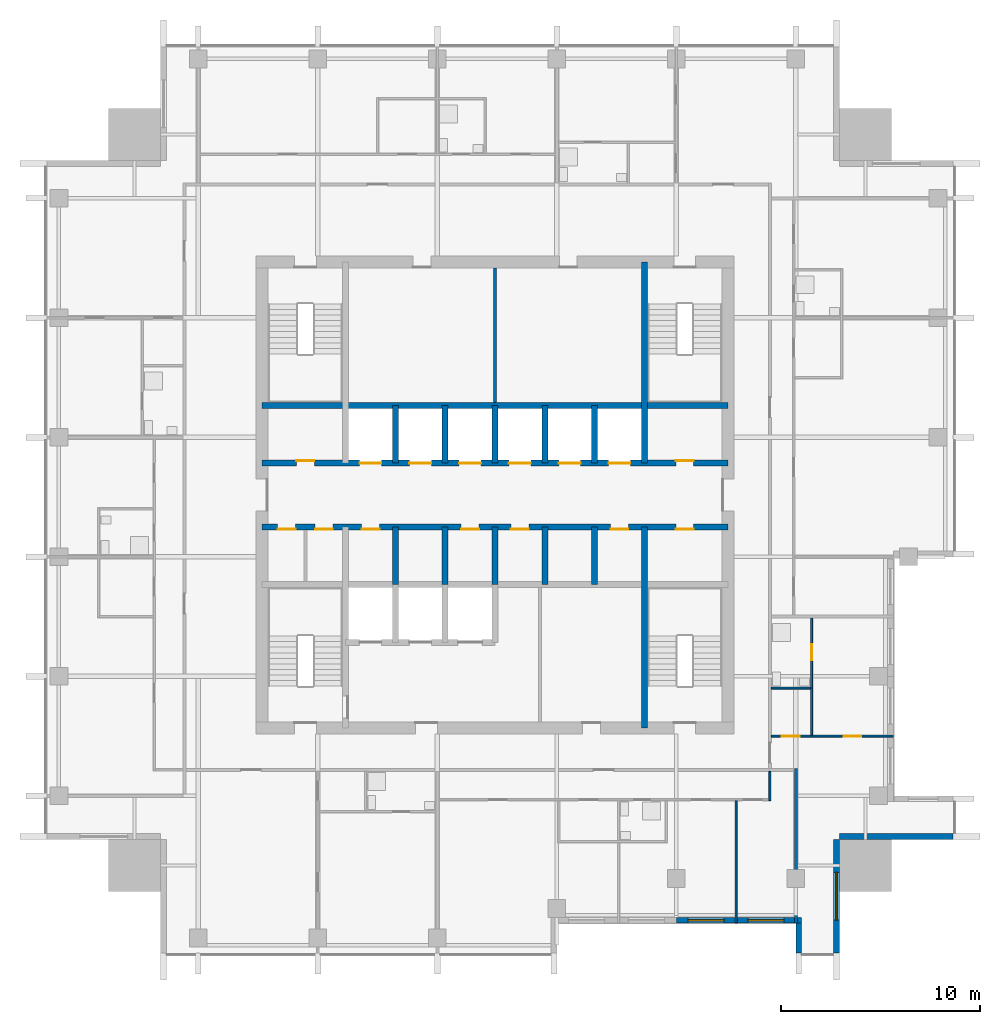
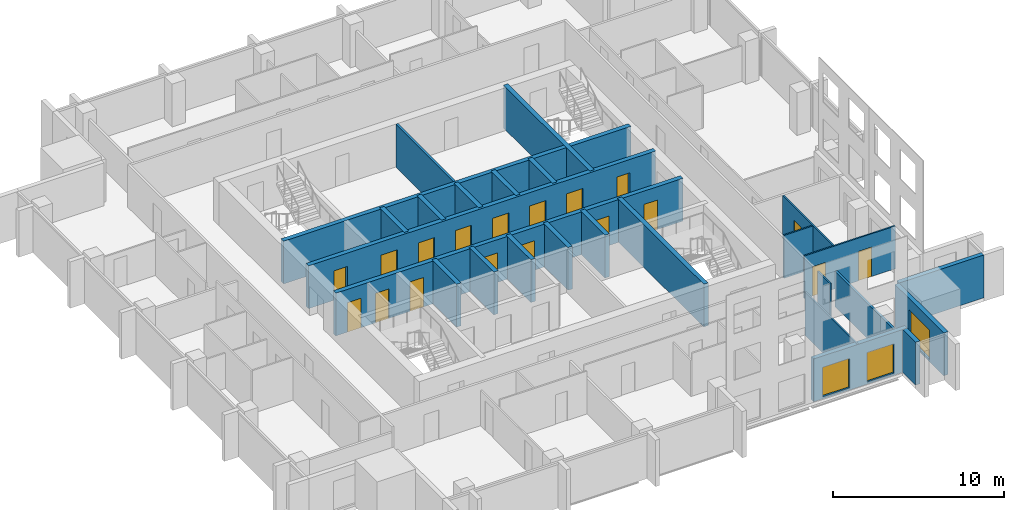
# One storey, part 5 of 10: 26 walls, 18 doors, 3 windows, 21 openings.
"""IFC4 building model written with IfcOpenShell, lengths in metres."""

from ifc_helpers import new_model, si_unit, direction, frame, frame_2d, origin, place, context, subcontext, project, spatial, rectangle, extrude, material, layer, layer_set, type_object, element, fill, save


model = new_model("IFC4")

# Units and contexts
model_context = context("Model", 3, precision=1e-05, world=origin(), true_north=direction((0.0, 1.0)))
body_context = subcontext(model_context, "Body", "Model", "MODEL_VIEW")
ifc_project = project(units=[si_unit("LENGTHUNIT", "METRE"), si_unit("AREAUNIT", "SQUARE_METRE"), si_unit("VOLUMEUNIT", "CUBIC_METRE"), si_unit("PLANEANGLEUNIT", "RADIAN"), si_unit("MASSUNIT", "GRAM", prefix="KILO")], contexts=[model_context])

# Site, building, storey
site_placement = place(None, origin())
site = spatial("IfcSite", under=ifc_project, at=site_placement, CompositionType="ELEMENT")
building_placement = place(site_placement, origin())
building = spatial("IfcBuilding", under=site, at=building_placement, Name="Amberfall Residences", CompositionType="ELEMENT")
storey_placement = place(building_placement, frame((0.0, 0.0, 206.800048828125)))
storey = spatial("IfcBuildingStorey", under=building, at=storey_placement, Name="L55", CompositionType="ELEMENT", Elevation=206.800048828125)

# Wall
ifc_material_1 = material(Name="Pale stone cladding on insulated backing", Category="masonry")
ifc_layer_1 = layer(ifc_material_1, 0.300048828125)
ifc_layer_set_1 = layer_set([ifc_layer_1], Name="Bronze clad wall 300")
wall_type_1 = type_object("IfcWallType", Name="Bronze clad wall 300", PredefinedType="SOLIDWALL", material=ifc_layer_set_1)
wall_1_placement = place(storey_placement, frame((89.75, 24.0, 0.0), z_axis=(0.0, 0.0, 1.0), x_axis=(0.0, -1.0, 0.0)))
element("IfcWall", 1, at=wall_1_placement, inside=storey, type_object=wall_type_1, Name="External wall L55 S", PredefinedType="SOLIDWALL", context=body_context, shape_type="SweptSolid", body=[
    extrude(rectangle(XDim=1.5, YDim=0.300048828125, at=frame_2d((0.75, 0.0))), origin(), (0.0, 0.0, 1.0), 3.050048828125),
])

# Wall, opening, window
wall_2_placement = place(storey_placement, frame((91.64990234375, 22.5, 0.0), z_axis=(0.0, 0.0, 1.0), x_axis=(0.0, 1.0, 0.0)))
wall_2 = element("IfcWall", 2, at=wall_2_placement, inside=storey, type_object=wall_type_1, Name="External wall L55 SE", PredefinedType="SOLIDWALL", context=body_context, shape_type="SweptSolid", body=[
    extrude(rectangle(XDim=5.699951171875, YDim=0.300048828125, at=frame_2d((2.85009765625, 0.0))), origin(), (0.0, 0.0, 1.0), 3.050048828125),
])
opening_1_placement = place(wall_2_placement, frame((1.64990234375, 0.0, 0.14990234375)))
opening_1 = element("IfcOpeningElement", 3, at=opening_1_placement, cuts=wall_2, Name="Opening WN5", PredefinedType="OPENING", context=body_context, shape_type="SweptSolid", body=[
    extrude(rectangle(XDim=2.39990234375, YDim=2.10009765625, at=frame_2d((1.199951171875, 1.050048828125))), frame((0.0, 0.159912109375, 0.0), z_axis=(0.0, -1.0, 0.0), x_axis=(1.0, 0.0, 0.0)), (0.0, 0.0, 1.0), 0.320068359375),
])
ifc_material_2 = material(Name="Bronze aluminium framed glazing", Category="aluminium")
window_type_1 = type_object("IfcWindowType", Name="Glazed opening 2400 x 2100 bronze", PartitioningType="DOUBLE_PANEL_VERTICAL", PredefinedType="WINDOW", material=ifc_material_2)
window_1_placement = place(opening_1_placement, origin())
window_1 = element("IfcWindow", 4, at=window_1_placement, inside=storey, type_object=window_type_1, Name="Window L55 SE", OverallHeight=2.10009765625, OverallWidth=2.39990234375, PartitioningType="DOUBLE_PANEL_VERTICAL", PredefinedType="WINDOW", context=body_context, shape_type="SweptSolid", body=[
    extrude(rectangle(XDim=2.39990234375, YDim=2.10009765625, at=frame_2d((1.199951171875, 1.050048828125))), frame((0.0, 0.030029296875, 0.0), z_axis=(0.0, -1.0, 0.0), x_axis=(1.0, 0.0, 0.0)), (0.0, 0.0, 1.0), 0.06005859375),
])
fill(opening_1, window_1)

# Wall
wall_3_placement = place(storey_placement, frame((91.800048828125, 28.35009765625, 0.0), z_axis=(0.0, 0.0, 1.0), x_axis=(1.0, 0.0, 0.0)))
element("IfcWall", 5, at=wall_3_placement, inside=storey, type_object=wall_type_1, Name="External wall L55 SE", PredefinedType="SOLIDWALL", context=body_context, shape_type="SweptSolid", body=[
    extrude(rectangle(XDim=5.699951171875, YDim=0.300048828125, at=frame_2d((2.85009765625, 0.0))), origin(), (0.0, 0.0, 1.0), 3.050048828125),
])

# Wall, openings, windows
wall_4_placement = place(storey_placement, frame((83.60009765625, 24.14990234375, 0.0), z_axis=(0.0, 0.0, 1.0), x_axis=(1.0, 0.0, 0.0)))
wall_4 = element("IfcWall", 6, at=wall_4_placement, inside=storey, type_object=wall_type_1, Name="Stone wall L55 S", PredefinedType="SOLIDWALL", context=body_context, shape_type="SweptSolid", body=[
    extrude(rectangle(XDim=6.2998046875, YDim=0.300048828125, at=frame_2d((3.14990234375, 0.0))), origin(), (0.0, 0.0, 1.0), 3.050048828125),
])
opening_2_placement = place(wall_4_placement, frame((0.60009765625, 0.0, 0.14990234375)))
opening_2 = element("IfcOpeningElement", 7, at=opening_2_placement, cuts=wall_4, Name="Opening WN6", PredefinedType="OPENING", context=body_context, shape_type="SweptSolid", body=[
    extrude(rectangle(XDim=1.800048828125, YDim=2.10009765625, at=frame_2d((0.89990234375, 1.050048828125))), frame((0.0, 0.159912109375, 0.0), z_axis=(0.0, -1.0, 0.0), x_axis=(1.0, 0.0, 0.0)), (0.0, 0.0, 1.0), 0.320068359375),
])
opening_3_placement = place(wall_4_placement, frame((3.60009765625, 0.0, 0.14990234375)))
opening_3 = element("IfcOpeningElement", 8, at=opening_3_placement, cuts=wall_4, Name="Opening WN6", PredefinedType="OPENING", context=body_context, shape_type="SweptSolid", body=[
    extrude(rectangle(XDim=1.800048828125, YDim=2.10009765625, at=frame_2d((0.89990234375, 1.050048828125))), frame((0.0, 0.159912109375, 0.0), z_axis=(0.0, -1.0, 0.0), x_axis=(1.0, 0.0, 0.0)), (0.0, 0.0, 1.0), 0.320068359375),
])
window_type_2 = type_object("IfcWindowType", Name="Glazed opening 1800 x 2100 bronze", PartitioningType="DOUBLE_PANEL_VERTICAL", PredefinedType="WINDOW", material=ifc_material_2)
window_2_placement = place(opening_2_placement, origin())
window_2 = element("IfcWindow", 9, at=window_2_placement, inside=storey, type_object=window_type_2, Name="Window L55 S", OverallHeight=2.10009765625, OverallWidth=1.800048828125, PartitioningType="DOUBLE_PANEL_VERTICAL", PredefinedType="WINDOW", context=body_context, shape_type="SweptSolid", body=[
    extrude(rectangle(XDim=1.800048828125, YDim=2.10009765625, at=frame_2d((0.89990234375, 1.050048828125))), frame((0.0, 0.030029296875, 0.0), z_axis=(0.0, -1.0, 0.0), x_axis=(1.0, 0.0, 0.0)), (0.0, 0.0, 1.0), 0.06005859375),
])
fill(opening_2, window_2)
window_3_placement = place(opening_3_placement, origin())
window_3 = element("IfcWindow", 10, at=window_3_placement, inside=storey, type_object=window_type_2, Name="Window L55 S", OverallHeight=2.10009765625, OverallWidth=1.800048828125, PartitioningType="DOUBLE_PANEL_VERTICAL", PredefinedType="WINDOW", context=body_context, shape_type="SweptSolid", body=[
    extrude(rectangle(XDim=1.800048828125, YDim=2.10009765625, at=frame_2d((0.89990234375, 1.050048828125))), frame((0.0, 0.030029296875, 0.0), z_axis=(0.0, -1.0, 0.0), x_axis=(1.0, 0.0, 0.0)), (0.0, 0.0, 1.0), 0.06005859375),
])
fill(opening_3, window_3)

# Wall, openings, doors
ifc_material_3 = material(Name="Concrete C55", Category="concrete")
ifc_layer_2 = layer(ifc_material_3, 0.300048828125)
ifc_layer_set_2 = layer_set([ifc_layer_2], Name="Core wall 300 C55")
wall_type_2 = type_object("IfcWallType", Name="Core wall 300 C55", PredefinedType="SHEAR", material=ifc_layer_set_2)
wall_5_placement = place(storey_placement, frame((62.800048828125, 43.89990234375, 0.0), z_axis=(0.0, 0.0, 1.0), x_axis=(1.0, 0.0, 0.0)))
wall_5 = element("IfcWall", 11, at=wall_5_placement, inside=storey, type_object=wall_type_2, Name="Core wall RW8 L55 H104", PredefinedType="SHEAR", context=body_context, shape_type="SweptSolid", body=[
    extrude(rectangle(XDim=23.39990234375, YDim=0.300048828125, at=frame_2d((11.699951171875, 0.0))), origin(), (0.0, 0.0, 1.0), 3.050048828125),
])
opening_4_placement = place(wall_5_placement, frame((0.78759765625, 0.0, 0.0)))
opening_4 = element("IfcOpeningElement", 12, at=opening_4_placement, cuts=wall_5, Name="Opening RD1", PredefinedType="OPENING", context=body_context, shape_type="SweptSolid", body=[
    extrude(rectangle(XDim=0.89990234375, YDim=2.10009765625, at=frame_2d((0.449951171875, 1.050048828125))), frame((0.0, 0.159912109375, 0.0), z_axis=(0.0, -1.0, 0.0), x_axis=(1.0, 0.0, 0.0)), (0.0, 0.0, 1.0), 0.320068359375),
])
opening_5_placement = place(wall_5_placement, frame((2.66259765625, 0.0, 0.0)))
opening_5 = element("IfcOpeningElement", 13, at=opening_5_placement, cuts=wall_5, Name="Opening RD1", PredefinedType="OPENING", context=body_context, shape_type="SweptSolid", body=[
    extrude(rectangle(XDim=0.89990234375, YDim=2.10009765625, at=frame_2d((0.449951171875, 1.050048828125))), frame((0.0, 0.159912109375, 0.0), z_axis=(0.0, -1.0, 0.0), x_axis=(1.0, 0.0, 0.0)), (0.0, 0.0, 1.0), 0.320068359375),
])
opening_6_placement = place(wall_5_placement, frame((20.77490234375, 0.0, 0.0)))
opening_6 = element("IfcOpeningElement", 14, at=opening_6_placement, cuts=wall_5, Name="Opening RD1", PredefinedType="OPENING", context=body_context, shape_type="SweptSolid", body=[
    extrude(rectangle(XDim=0.89990234375, YDim=2.10009765625, at=frame_2d((0.449951171875, 1.050048828125))), frame((0.0, 0.159912109375, 0.0), z_axis=(0.0, -1.0, 0.0), x_axis=(1.0, 0.0, 0.0)), (0.0, 0.0, 1.0), 0.320068359375),
])
opening_7_placement = place(wall_5_placement, frame((5.0, 0.0, 0.0)))
opening_7 = element("IfcOpeningElement", 15, at=opening_7_placement, cuts=wall_5, Name="Opening RD1", PredefinedType="OPENING", context=body_context, shape_type="SweptSolid", body=[
    extrude(rectangle(XDim=0.89990234375, YDim=2.10009765625, at=frame_2d((0.449951171875, 1.050048828125))), frame((0.0, 0.159912109375, 0.0), z_axis=(0.0, -1.0, 0.0), x_axis=(1.0, 0.0, 0.0)), (0.0, 0.0, 1.0), 0.320068359375),
])
opening_8_placement = place(wall_5_placement, frame((10.0, 0.0, 0.0)))
opening_8 = element("IfcOpeningElement", 16, at=opening_8_placement, cuts=wall_5, Name="Opening RD1", PredefinedType="OPENING", context=body_context, shape_type="SweptSolid", body=[
    extrude(rectangle(XDim=0.89990234375, YDim=2.10009765625, at=frame_2d((0.449951171875, 1.050048828125))), frame((0.0, 0.159912109375, 0.0), z_axis=(0.0, -1.0, 0.0), x_axis=(1.0, 0.0, 0.0)), (0.0, 0.0, 1.0), 0.320068359375),
])
opening_9_placement = place(wall_5_placement, frame((12.5, 0.0, 0.0)))
opening_9 = element("IfcOpeningElement", 17, at=opening_9_placement, cuts=wall_5, Name="Opening RD1", PredefinedType="OPENING", context=body_context, shape_type="SweptSolid", body=[
    extrude(rectangle(XDim=0.89990234375, YDim=2.10009765625, at=frame_2d((0.449951171875, 1.050048828125))), frame((0.0, 0.159912109375, 0.0), z_axis=(0.0, -1.0, 0.0), x_axis=(1.0, 0.0, 0.0)), (0.0, 0.0, 1.0), 0.320068359375),
])
opening_10_placement = place(wall_5_placement, frame((17.5, 0.0, 0.0)))
opening_10 = element("IfcOpeningElement", 18, at=opening_10_placement, cuts=wall_5, Name="Opening RD1", PredefinedType="OPENING", context=body_context, shape_type="SweptSolid", body=[
    extrude(rectangle(XDim=0.89990234375, YDim=2.10009765625, at=frame_2d((0.449951171875, 1.050048828125))), frame((0.0, 0.159912109375, 0.0), z_axis=(0.0, -1.0, 0.0), x_axis=(1.0, 0.0, 0.0)), (0.0, 0.0, 1.0), 0.320068359375),
])
ifc_material_4 = material(Name="Steel fire door set", Category="steel")
door_type_1 = type_object("IfcDoorType", Name="Service room door 900 x 2100", OperationType="SINGLE_SWING_LEFT", PredefinedType="DOOR", material=ifc_material_4)
door_1_placement = place(opening_4_placement, origin())
door_1 = element("IfcDoor", 19, at=door_1_placement, inside=storey, type_object=door_type_1, Name="RD1 L55", OperationType="SINGLE_SWING_LEFT", OverallHeight=2.10009765625, OverallWidth=0.89990234375, PredefinedType="DOOR", context=body_context, shape_type="SweptSolid", body=[
    extrude(rectangle(XDim=0.89990234375, YDim=2.10009765625, at=frame_2d((0.449951171875, 1.050048828125))), frame((0.0, -0.08740234375, 0.0), z_axis=(0.0, -1.0, 0.0), x_axis=(1.0, 0.0, 0.0)), (0.0, 0.0, 1.0), 0.050048828125),
])
fill(opening_4, door_1)
door_2_placement = place(opening_5_placement, origin())
door_2 = element("IfcDoor", 20, at=door_2_placement, inside=storey, type_object=door_type_1, Name="RD1 L55", OperationType="SINGLE_SWING_RIGHT", OverallHeight=2.10009765625, OverallWidth=0.89990234375, PredefinedType="DOOR", context=body_context, shape_type="SweptSolid", body=[
    extrude(rectangle(XDim=0.89990234375, YDim=2.10009765625, at=frame_2d((0.449951171875, 1.050048828125))), frame((0.0, -0.08740234375, 0.0), z_axis=(0.0, -1.0, 0.0), x_axis=(1.0, 0.0, 0.0)), (0.0, 0.0, 1.0), 0.050048828125),
])
fill(opening_5, door_2)
door_3_placement = place(opening_6_placement, origin())
door_3 = element("IfcDoor", 21, at=door_3_placement, inside=storey, type_object=door_type_1, Name="RD1 L55", OperationType="SINGLE_SWING_LEFT", OverallHeight=2.10009765625, OverallWidth=0.89990234375, PredefinedType="DOOR", context=body_context, shape_type="SweptSolid", body=[
    extrude(rectangle(XDim=0.89990234375, YDim=2.10009765625, at=frame_2d((0.449951171875, 1.050048828125))), frame((0.0, -0.08740234375, 0.0), z_axis=(0.0, -1.0, 0.0), x_axis=(1.0, 0.0, 0.0)), (0.0, 0.0, 1.0), 0.050048828125),
])
fill(opening_6, door_3)
door_4_placement = place(opening_7_placement, origin())
door_4 = element("IfcDoor", 22, at=door_4_placement, inside=storey, type_object=door_type_1, Name="RD1 L55", OperationType="SINGLE_SWING_RIGHT", OverallHeight=2.10009765625, OverallWidth=0.89990234375, PredefinedType="DOOR", context=body_context, shape_type="SweptSolid", body=[
    extrude(rectangle(XDim=0.89990234375, YDim=2.10009765625, at=frame_2d((0.449951171875, 1.050048828125))), frame((0.0, -0.08740234375, 0.0), z_axis=(0.0, -1.0, 0.0), x_axis=(1.0, 0.0, 0.0)), (0.0, 0.0, 1.0), 0.050048828125),
])
fill(opening_7, door_4)
door_5_placement = place(opening_8_placement, origin())
door_5 = element("IfcDoor", 23, at=door_5_placement, inside=storey, type_object=door_type_1, Name="RD1 L55", OperationType="SINGLE_SWING_RIGHT", OverallHeight=2.10009765625, OverallWidth=0.89990234375, PredefinedType="DOOR", context=body_context, shape_type="SweptSolid", body=[
    extrude(rectangle(XDim=0.89990234375, YDim=2.10009765625, at=frame_2d((0.449951171875, 1.050048828125))), frame((0.0, -0.08740234375, 0.0), z_axis=(0.0, -1.0, 0.0), x_axis=(1.0, 0.0, 0.0)), (0.0, 0.0, 1.0), 0.050048828125),
])
fill(opening_8, door_5)
door_6_placement = place(opening_9_placement, origin())
door_6 = element("IfcDoor", 24, at=door_6_placement, inside=storey, type_object=door_type_1, Name="RD1 L55", OperationType="SINGLE_SWING_LEFT", OverallHeight=2.10009765625, OverallWidth=0.89990234375, PredefinedType="DOOR", context=body_context, shape_type="SweptSolid", body=[
    extrude(rectangle(XDim=0.89990234375, YDim=2.10009765625, at=frame_2d((0.449951171875, 1.050048828125))), frame((0.0, -0.08740234375, 0.0), z_axis=(0.0, -1.0, 0.0), x_axis=(1.0, 0.0, 0.0)), (0.0, 0.0, 1.0), 0.050048828125),
])
fill(opening_9, door_6)
door_7_placement = place(opening_10_placement, origin())
door_7 = element("IfcDoor", 25, at=door_7_placement, inside=storey, type_object=door_type_1, Name="RD1 L55", OperationType="SINGLE_SWING_LEFT", OverallHeight=2.10009765625, OverallWidth=0.89990234375, PredefinedType="DOOR", context=body_context, shape_type="SweptSolid", body=[
    extrude(rectangle(XDim=0.89990234375, YDim=2.10009765625, at=frame_2d((0.449951171875, 1.050048828125))), frame((0.0, -0.08740234375, 0.0), z_axis=(0.0, -1.0, 0.0), x_axis=(1.0, 0.0, 0.0)), (0.0, 0.0, 1.0), 0.050048828125),
])
fill(opening_10, door_7)

wall_6_placement = place(storey_placement, frame((62.800048828125, 47.10009765625, 0.0), z_axis=(0.0, 0.0, 1.0), x_axis=(1.0, 0.0, 0.0)))
wall_6 = element("IfcWall", 26, at=wall_6_placement, inside=storey, type_object=wall_type_2, Name="Core wall RW8 L55 H136", PredefinedType="SHEAR", context=body_context, shape_type="SweptSolid", body=[
    extrude(rectangle(XDim=23.39990234375, YDim=0.300048828125, at=frame_2d((11.699951171875, 0.0))), origin(), (0.0, 0.0, 1.0), 3.050048828125),
])
opening_11_placement = place(wall_6_placement, frame((1.72509765625, 0.0, 0.0)))
opening_11 = element("IfcOpeningElement", 27, at=opening_11_placement, cuts=wall_6, Name="Opening RD1", PredefinedType="OPENING", context=body_context, shape_type="SweptSolid", body=[
    extrude(rectangle(XDim=0.89990234375, YDim=2.10009765625, at=frame_2d((0.449951171875, 1.050048828125))), frame((0.0, 0.159912109375, 0.0), z_axis=(0.0, -1.0, 0.0), x_axis=(1.0, 0.0, 0.0)), (0.0, 0.0, 1.0), 0.320068359375),
])
opening_12_placement = place(wall_6_placement, frame((20.77490234375, 0.0, 0.0)))
opening_12 = element("IfcOpeningElement", 28, at=opening_12_placement, cuts=wall_6, Name="Opening RD1", PredefinedType="OPENING", context=body_context, shape_type="SweptSolid", body=[
    extrude(rectangle(XDim=0.89990234375, YDim=2.10009765625, at=frame_2d((0.449951171875, 1.050048828125))), frame((0.0, 0.159912109375, 0.0), z_axis=(0.0, -1.0, 0.0), x_axis=(1.0, 0.0, 0.0)), (0.0, 0.0, 1.0), 0.320068359375),
])
opening_13_placement = place(wall_6_placement, frame((4.89990234375, 0.0, 0.0)))
opening_13 = element("IfcOpeningElement", 29, at=opening_13_placement, cuts=wall_6, Name="Opening LD1", PredefinedType="OPENING", context=body_context, shape_type="SweptSolid", body=[
    extrude(rectangle(XDim=1.10009765625, YDim=2.10009765625, at=frame_2d((0.550048828125, 1.050048828125))), frame((0.0, 0.159912109375, 0.0), z_axis=(0.0, -1.0, 0.0), x_axis=(1.0, 0.0, 0.0)), (0.0, 0.0, 1.0), 0.320068359375),
])
opening_14_placement = place(wall_6_placement, frame((7.39990234375, 0.0, 0.0)))
opening_14 = element("IfcOpeningElement", 30, at=opening_14_placement, cuts=wall_6, Name="Opening LD1", PredefinedType="OPENING", context=body_context, shape_type="SweptSolid", body=[
    extrude(rectangle(XDim=1.10009765625, YDim=2.10009765625, at=frame_2d((0.550048828125, 1.050048828125))), frame((0.0, 0.159912109375, 0.0), z_axis=(0.0, -1.0, 0.0), x_axis=(1.0, 0.0, 0.0)), (0.0, 0.0, 1.0), 0.320068359375),
])
opening_15_placement = place(wall_6_placement, frame((9.89990234375, 0.0, 0.0)))
opening_15 = element("IfcOpeningElement", 31, at=opening_15_placement, cuts=wall_6, Name="Opening LD1", PredefinedType="OPENING", context=body_context, shape_type="SweptSolid", body=[
    extrude(rectangle(XDim=1.10009765625, YDim=2.10009765625, at=frame_2d((0.550048828125, 1.050048828125))), frame((0.0, 0.159912109375, 0.0), z_axis=(0.0, -1.0, 0.0), x_axis=(1.0, 0.0, 0.0)), (0.0, 0.0, 1.0), 0.320068359375),
])
opening_16_placement = place(wall_6_placement, frame((12.39990234375, 0.0, 0.0)))
opening_16 = element("IfcOpeningElement", 32, at=opening_16_placement, cuts=wall_6, Name="Opening LD1", PredefinedType="OPENING", context=body_context, shape_type="SweptSolid", body=[
    extrude(rectangle(XDim=1.10009765625, YDim=2.10009765625, at=frame_2d((0.550048828125, 1.050048828125))), frame((0.0, 0.159912109375, 0.0), z_axis=(0.0, -1.0, 0.0), x_axis=(1.0, 0.0, 0.0)), (0.0, 0.0, 1.0), 0.320068359375),
])
opening_17_placement = place(wall_6_placement, frame((14.89990234375, 0.0, 0.0)))
opening_17 = element("IfcOpeningElement", 33, at=opening_17_placement, cuts=wall_6, Name="Opening LD1", PredefinedType="OPENING", context=body_context, shape_type="SweptSolid", body=[
    extrude(rectangle(XDim=1.10009765625, YDim=2.10009765625, at=frame_2d((0.550048828125, 1.050048828125))), frame((0.0, 0.159912109375, 0.0), z_axis=(0.0, -1.0, 0.0), x_axis=(1.0, 0.0, 0.0)), (0.0, 0.0, 1.0), 0.320068359375),
])
opening_18_placement = place(wall_6_placement, frame((17.39990234375, 0.0, 0.0)))
opening_18 = element("IfcOpeningElement", 34, at=opening_18_placement, cuts=wall_6, Name="Opening LD1", PredefinedType="OPENING", context=body_context, shape_type="SweptSolid", body=[
    extrude(rectangle(XDim=1.10009765625, YDim=2.10009765625, at=frame_2d((0.550048828125, 1.050048828125))), frame((0.0, 0.159912109375, 0.0), z_axis=(0.0, -1.0, 0.0), x_axis=(1.0, 0.0, 0.0)), (0.0, 0.0, 1.0), 0.320068359375),
])
door_type_2 = type_object("IfcDoorType", Name="Lift landing door 1100 x 2100", OperationType="DOUBLE_DOOR_SLIDING", PredefinedType="DOOR", material=ifc_material_4)
door_8_placement = place(opening_13_placement, origin())
door_8 = element("IfcDoor", 35, at=door_8_placement, inside=storey, type_object=door_type_2, Name="Landing door HP1 L55", OperationType="DOUBLE_DOOR_SLIDING", OverallHeight=2.10009765625, OverallWidth=1.10009765625, PredefinedType="DOOR", context=body_context, shape_type="SweptSolid", body=[
    extrude(rectangle(XDim=1.10009765625, YDim=2.10009765625, at=frame_2d((0.550048828125, 1.050048828125))), frame((0.0, 0.02490234375, 0.0), z_axis=(0.0, -1.0, 0.0), x_axis=(1.0, 0.0, 0.0)), (0.0, 0.0, 1.0), 0.050048828125),
])
fill(opening_13, door_8)
door_9_placement = place(opening_14_placement, origin())
door_9 = element("IfcDoor", 36, at=door_9_placement, inside=storey, type_object=door_type_2, Name="Landing door HP2 L55", OperationType="DOUBLE_DOOR_SLIDING", OverallHeight=2.10009765625, OverallWidth=1.10009765625, PredefinedType="DOOR", context=body_context, shape_type="SweptSolid", body=[
    extrude(rectangle(XDim=1.10009765625, YDim=2.10009765625, at=frame_2d((0.550048828125, 1.050048828125))), frame((0.0, 0.02490234375, 0.0), z_axis=(0.0, -1.0, 0.0), x_axis=(1.0, 0.0, 0.0)), (0.0, 0.0, 1.0), 0.050048828125),
])
fill(opening_14, door_9)
door_10_placement = place(opening_15_placement, origin())
door_10 = element("IfcDoor", 37, at=door_10_placement, inside=storey, type_object=door_type_2, Name="Landing door HP3 L55", OperationType="DOUBLE_DOOR_SLIDING", OverallHeight=2.10009765625, OverallWidth=1.10009765625, PredefinedType="DOOR", context=body_context, shape_type="SweptSolid", body=[
    extrude(rectangle(XDim=1.10009765625, YDim=2.10009765625, at=frame_2d((0.550048828125, 1.050048828125))), frame((0.0, 0.02490234375, 0.0), z_axis=(0.0, -1.0, 0.0), x_axis=(1.0, 0.0, 0.0)), (0.0, 0.0, 1.0), 0.050048828125),
])
fill(opening_15, door_10)
door_11_placement = place(opening_16_placement, origin())
door_11 = element("IfcDoor", 38, at=door_11_placement, inside=storey, type_object=door_type_2, Name="Landing door HP4 L55", OperationType="DOUBLE_DOOR_SLIDING", OverallHeight=2.10009765625, OverallWidth=1.10009765625, PredefinedType="DOOR", context=body_context, shape_type="SweptSolid", body=[
    extrude(rectangle(XDim=1.10009765625, YDim=2.10009765625, at=frame_2d((0.550048828125, 1.050048828125))), frame((0.0, 0.02490234375, 0.0), z_axis=(0.0, -1.0, 0.0), x_axis=(1.0, 0.0, 0.0)), (0.0, 0.0, 1.0), 0.050048828125),
])
fill(opening_16, door_11)
door_12_placement = place(opening_17_placement, origin())
door_12 = element("IfcDoor", 39, at=door_12_placement, inside=storey, type_object=door_type_2, Name="Landing door HP5 L55", OperationType="DOUBLE_DOOR_SLIDING", OverallHeight=2.10009765625, OverallWidth=1.10009765625, PredefinedType="DOOR", context=body_context, shape_type="SweptSolid", body=[
    extrude(rectangle(XDim=1.10009765625, YDim=2.10009765625, at=frame_2d((0.550048828125, 1.050048828125))), frame((0.0, 0.02490234375, 0.0), z_axis=(0.0, -1.0, 0.0), x_axis=(1.0, 0.0, 0.0)), (0.0, 0.0, 1.0), 0.050048828125),
])
fill(opening_17, door_12)
door_13_placement = place(opening_18_placement, origin())
door_13 = element("IfcDoor", 40, at=door_13_placement, inside=storey, type_object=door_type_2, Name="Landing door HP6 L55", OperationType="DOUBLE_DOOR_SLIDING", OverallHeight=2.10009765625, OverallWidth=1.10009765625, PredefinedType="DOOR", context=body_context, shape_type="SweptSolid", body=[
    extrude(rectangle(XDim=1.10009765625, YDim=2.10009765625, at=frame_2d((0.550048828125, 1.050048828125))), frame((0.0, 0.02490234375, 0.0), z_axis=(0.0, -1.0, 0.0), x_axis=(1.0, 0.0, 0.0)), (0.0, 0.0, 1.0), 0.050048828125),
])
fill(opening_18, door_13)
door_14_placement = place(opening_11_placement, origin())
door_14 = element("IfcDoor", 41, at=door_14_placement, inside=storey, type_object=door_type_1, Name="RD1 L55", OperationType="SINGLE_SWING_LEFT", OverallHeight=2.10009765625, OverallWidth=0.89990234375, PredefinedType="DOOR", context=body_context, shape_type="SweptSolid", body=[
    extrude(rectangle(XDim=0.89990234375, YDim=2.10009765625, at=frame_2d((0.449951171875, 1.050048828125))), frame((0.0, 0.1376953125, 0.0), z_axis=(0.0, -1.0, 0.0), x_axis=(1.0, 0.0, 0.0)), (0.0, 0.0, 1.0), 0.050048828125),
])
fill(opening_11, door_14)
door_15_placement = place(opening_12_placement, origin())
door_15 = element("IfcDoor", 42, at=door_15_placement, inside=storey, type_object=door_type_1, Name="RD1 L55", OperationType="SINGLE_SWING_LEFT", OverallHeight=2.10009765625, OverallWidth=0.89990234375, PredefinedType="DOOR", context=body_context, shape_type="SweptSolid", body=[
    extrude(rectangle(XDim=0.89990234375, YDim=2.10009765625, at=frame_2d((0.449951171875, 1.050048828125))), frame((0.0, 0.1376953125, 0.0), z_axis=(0.0, -1.0, 0.0), x_axis=(1.0, 0.0, 0.0)), (0.0, 0.0, 1.0), 0.050048828125),
])
fill(opening_12, door_15)

# Walls
wall_7_placement = place(storey_placement, frame((62.800048828125, 50.0, 0.0), z_axis=(0.0, 0.0, 1.0), x_axis=(1.0, 0.0, 0.0)))
element("IfcWall", 43, at=wall_7_placement, inside=storey, type_object=wall_type_2, Name="Core wall RW8 L55 H165", PredefinedType="SHEAR", context=body_context, shape_type="SweptSolid", body=[
    extrude(rectangle(XDim=23.39990234375, YDim=0.300048828125, at=frame_2d((11.699951171875, 0.0))), origin(), (0.0, 0.0, 1.0), 3.050048828125),
])
for number, where, z_axis, x_axis, name in (
    (44, (82.0, 33.800048828125, 0.0), (0.0, 0.0, 1.0), (0.0, 1.0, 0.0), "Core wall RW8 L55 V195S"),
    (45, (82.0, 47.10009765625, 0.0), (0.0, 0.0, 1.0), (0.0, 1.0, 0.0), "Core wall RW8 L55 V195N"),
):
    element("IfcWall", number, at=place(storey_placement, frame(where, z_axis=z_axis, x_axis=x_axis)), inside=storey, type_object=wall_type_2, Name=name, PredefinedType="SHEAR", context=body_context, shape_type="SweptSolid", body=[
        extrude(rectangle(XDim=10.099853515625, YDim=0.300048828125, at=frame_2d((5.0498046875, 0.0))), origin(), (0.0, 0.0, 1.0), 3.050048828125),
    ])
for number, where, z_axis, x_axis, name in (
    (46, (69.5, 41.0, 0.0), (0.0, 0.0, 1.0), (0.0, 1.0, 0.0), "Core wall RW8 L55 LPD1"),
    (47, (69.5, 47.10009765625, 0.0), (0.0, 0.0, 1.0), (0.0, 1.0, 0.0), "Core wall RW8 L55 HPD1"),
    (48, (72.0, 41.0, 0.0), (0.0, 0.0, 1.0), (0.0, 1.0, 0.0), "Core wall RW8 L55 LPD2"),
    (49, (72.0, 47.10009765625, 0.0), (0.0, 0.0, 1.0), (0.0, 1.0, 0.0), "Core wall RW8 L55 HPD2"),
    (50, (74.5, 41.0, 0.0), (0.0, 0.0, 1.0), (0.0, 1.0, 0.0), "Core wall RW8 L55 LPD3"),
    (51, (74.5, 47.10009765625, 0.0), (0.0, 0.0, 1.0), (0.0, 1.0, 0.0), "Core wall RW8 L55 HPD3"),
    (52, (77.0, 41.0, 0.0), (0.0, 0.0, 1.0), (0.0, 1.0, 0.0), "Core wall RW8 L55 LPD4"),
    (53, (77.0, 47.10009765625, 0.0), (0.0, 0.0, 1.0), (0.0, 1.0, 0.0), "Core wall RW8 L55 HPD4"),
    (54, (79.5, 41.0, 0.0), (0.0, 0.0, 1.0), (0.0, 1.0, 0.0), "Core wall RW8 L55 LPD5"),
    (55, (79.5, 47.10009765625, 0.0), (0.0, 0.0, 1.0), (0.0, 1.0, 0.0), "Core wall RW8 L55 HPD5"),
):
    element("IfcWall", number, at=place(storey_placement, frame(where, z_axis=z_axis, x_axis=x_axis)), inside=storey, type_object=wall_type_2, Name=name, PredefinedType="SHEAR", context=body_context, shape_type="SweptSolid", body=[
        extrude(rectangle(XDim=2.89990234375, YDim=0.300048828125, at=frame_2d((1.449951171875, 0.0))), origin(), (0.0, 0.0, 1.0), 3.050048828125),
    ])
ifc_material_5 = material(Name="Gypsum board on metal stud")
ifc_layer_3 = layer(ifc_material_5, 0.10009765625)
ifc_layer_set_3 = layer_set([ifc_layer_3], Name="Flat partition 100")
wall_type_3 = type_object("IfcWallType", Name="Flat partition 100", PredefinedType="PARTITIONING", material=ifc_layer_set_3)
wall_8_placement = place(storey_placement, frame((86.60009765625, 24.0, 0.0), z_axis=(0.0, 0.0, 1.0), x_axis=(0.0, 1.0, 0.0)))
element("IfcWall", 56, at=wall_8_placement, inside=storey, type_object=wall_type_3, Name="Partition 014", PredefinedType="PARTITIONING", context=body_context, shape_type="SweptSolid", body=[
    extrude(rectangle(XDim=6.14990234375, YDim=0.10009765625, at=frame_2d((3.074951171875, 0.0))), origin(), (0.0, 0.0, 1.0), 3.050048828125),
])
wall_9_placement = place(storey_placement, frame((88.300048828125, 30.14990234375, 0.0), z_axis=(0.0, 0.0, 1.0), x_axis=(0.0, 1.0, 0.0)))
element("IfcWall", 57, at=wall_9_placement, inside=storey, type_object=wall_type_3, Name="Partition 015", PredefinedType="PARTITIONING", context=body_context, shape_type="SweptSolid", body=[
    extrude(rectangle(XDim=1.47509765625, YDim=0.10009765625, at=frame_2d((0.737548828125, 0.0))), origin(), (0.0, 0.0, 1.0), 3.050048828125),
])

# Wall, opening, door
wall_10_placement = place(storey_placement, frame((90.39990234375, 33.449951171875, 0.0), z_axis=(0.0, 0.0, 1.0), x_axis=(0.0, 1.0, 0.0)))
wall_10 = element("IfcWall", 58, at=wall_10_placement, inside=storey, type_object=wall_type_3, Name="Partition 017", PredefinedType="PARTITIONING", context=body_context, shape_type="SweptSolid", body=[
    extrude(rectangle(XDim=5.875, YDim=0.10009765625, at=frame_2d((2.9375, 0.0))), origin(), (0.0, 0.0, 1.0), 3.050048828125),
])
opening_19_placement = place(wall_10_placement, frame((3.75, 0.0, 0.0)))
opening_19 = element("IfcOpeningElement", 59, at=opening_19_placement, cuts=wall_10, Name="Opening D42", PredefinedType="OPENING", context=body_context, shape_type="SweptSolid", body=[
    extrude(rectangle(XDim=0.800048828125, YDim=2.10009765625, at=frame_2d((0.39990234375, 1.050048828125))), frame((0.0, 0.06005859375, 0.0), z_axis=(0.0, -1.0, 0.0), x_axis=(1.0, 0.0, 0.0)), (0.0, 0.0, 1.0), 0.1201171875),
])
ifc_material_6 = material(Name="Timber", Category="wood")
door_type_3 = type_object("IfcDoorType", Name="Bathroom door 800 x 2100", OperationType="SINGLE_SWING_LEFT", PredefinedType="DOOR", material=ifc_material_6)
door_16_placement = place(opening_19_placement, origin())
door_16 = element("IfcDoor", 60, at=door_16_placement, inside=storey, type_object=door_type_3, Name="Door 5503 bath1", OperationType="SINGLE_SWING_LEFT", OverallHeight=2.10009765625, OverallWidth=0.800048828125, PredefinedType="DOOR", context=body_context, shape_type="SweptSolid", body=[
    extrude(rectangle(XDim=0.800048828125, YDim=2.10009765625, at=frame_2d((0.39990234375, 1.050048828125))), frame((0.0, 0.02490234375, 0.0), z_axis=(0.0, -1.0, 0.0), x_axis=(1.0, 0.0, 0.0)), (0.0, 0.0, 1.0), 0.050048828125),
])
fill(opening_19, door_16)

# Wall
wall_11_placement = place(storey_placement, frame((88.375, 35.800048828125, 0.0), z_axis=(0.0, 0.0, 1.0), x_axis=(1.0, 0.0, 0.0)))
element("IfcWall", 61, at=wall_11_placement, inside=storey, type_object=wall_type_3, Name="Partition 031", PredefinedType="PARTITIONING", context=body_context, shape_type="SweptSolid", body=[
    extrude(rectangle(XDim=1.97509765625, YDim=0.10009765625, at=frame_2d((0.987548828125, 0.0))), origin(), (0.0, 0.0, 1.0), 3.050048828125),
])

# Wall, openings, doors
wall_12_placement = place(storey_placement, frame((88.375, 33.39990234375, 0.0), z_axis=(0.0, 0.0, 1.0), x_axis=(1.0, 0.0, 0.0)))
wall_12 = element("IfcWall", 62, at=wall_12_placement, inside=storey, type_object=wall_type_3, Name="Partition 032", PredefinedType="PARTITIONING", context=body_context, shape_type="SweptSolid", body=[
    extrude(rectangle(XDim=6.125, YDim=0.10009765625, at=frame_2d((3.0625, 0.0))), origin(), (0.0, 0.0, 1.0), 3.050048828125),
])
opening_20_placement = place(wall_12_placement, frame((0.52490234375, 0.0, 0.0)))
opening_20 = element("IfcOpeningElement", 63, at=opening_20_placement, cuts=wall_12, Name="Opening D41", PredefinedType="OPENING", context=body_context, shape_type="SweptSolid", body=[
    extrude(rectangle(XDim=0.89990234375, YDim=2.10009765625, at=frame_2d((0.449951171875, 1.050048828125))), frame((0.0, 0.06005859375, 0.0), z_axis=(0.0, -1.0, 0.0), x_axis=(1.0, 0.0, 0.0)), (0.0, 0.0, 1.0), 0.1201171875),
])
opening_21_placement = place(wall_12_placement, frame((3.625, 0.0, 0.0)))
opening_21 = element("IfcOpeningElement", 64, at=opening_21_placement, cuts=wall_12, Name="Opening D41", PredefinedType="OPENING", context=body_context, shape_type="SweptSolid", body=[
    extrude(rectangle(XDim=0.89990234375, YDim=2.10009765625, at=frame_2d((0.449951171875, 1.050048828125))), frame((0.0, 0.06005859375, 0.0), z_axis=(0.0, -1.0, 0.0), x_axis=(1.0, 0.0, 0.0)), (0.0, 0.0, 1.0), 0.1201171875),
])
door_type_4 = type_object("IfcDoorType", Name="Internal door 900 x 2100", OperationType="SINGLE_SWING_LEFT", PredefinedType="DOOR", material=ifc_material_6)
door_17_placement = place(opening_20_placement, origin())
door_17 = element("IfcDoor", 65, at=door_17_placement, inside=storey, type_object=door_type_4, Name="Door 5503 kitchen", OperationType="SINGLE_SWING_LEFT", OverallHeight=2.10009765625, OverallWidth=0.89990234375, PredefinedType="DOOR", context=body_context, shape_type="SweptSolid", body=[
    extrude(rectangle(XDim=0.89990234375, YDim=2.10009765625, at=frame_2d((0.449951171875, 1.050048828125))), frame((0.0, 0.02490234375, 0.0), z_axis=(0.0, -1.0, 0.0), x_axis=(1.0, 0.0, 0.0)), (0.0, 0.0, 1.0), 0.050048828125),
])
fill(opening_20, door_17)
door_18_placement = place(opening_21_placement, origin())
door_18 = element("IfcDoor", 66, at=door_18_placement, inside=storey, type_object=door_type_4, Name="Door 5503 bedroom1", OperationType="SINGLE_SWING_LEFT", OverallHeight=2.10009765625, OverallWidth=0.89990234375, PredefinedType="DOOR", context=body_context, shape_type="SweptSolid", body=[
    extrude(rectangle(XDim=0.89990234375, YDim=2.10009765625, at=frame_2d((0.449951171875, 1.050048828125))), frame((0.0, 0.02490234375, 0.0), z_axis=(0.0, -1.0, 0.0), x_axis=(1.0, 0.0, 0.0)), (0.0, 0.0, 1.0), 0.050048828125),
])
fill(opening_21, door_18)

# Walls
ifc_material_7 = material(Name="Blockwork, plastered", Category="masonry")
ifc_layer_4 = layer(ifc_material_7, 0.14990234375)
ifc_layer_set_4 = layer_set([ifc_layer_4], Name="Flat separating wall 150")
wall_type_4 = type_object("IfcWallType", Name="Flat separating wall 150", PredefinedType="PARTITIONING", material=ifc_layer_set_4)
wall_13_placement = place(storey_placement, frame((89.60009765625, 24.0, 0.0), z_axis=(0.0, 0.0, 1.0), x_axis=(0.0, 1.0, 0.0)))
element("IfcWall", 67, at=wall_13_placement, inside=storey, type_object=wall_type_4, Name="Separating wall 042", PredefinedType="PARTITIONING", context=body_context, shape_type="SweptSolid", body=[
    extrude(rectangle(XDim=7.77490234375, YDim=0.14990234375, at=frame_2d((3.887451171875, 0.0))), origin(), (0.0, 0.0, 1.0), 2.515869140625),
])
ifc_material_8 = material(Name="Concrete blockwork", Category="masonry")
ifc_layer_5 = layer(ifc_material_8, 0.14990234375)
ifc_layer_set_5 = layer_set([ifc_layer_5], Name="Riser wall 150")
wall_type_5 = type_object("IfcWallType", Name="Riser wall 150", PredefinedType="PLUMBINGWALL", material=ifc_layer_set_5)
wall_14_placement = place(storey_placement, frame((74.5, 50.14990234375, 0.0), z_axis=(0.0, 0.0, 1.0), x_axis=(0.0, 1.0, 0.0)))
element("IfcWall", 68, at=wall_14_placement, inside=storey, type_object=wall_type_5, Name="L55 core wall N0", PredefinedType="PLUMBINGWALL", context=body_context, shape_type="SweptSolid", body=[
    extrude(rectangle(XDim=6.75, YDim=0.14990234375, at=frame_2d((3.375, 0.0))), origin(), (0.0, 0.0, 1.0), 3.050048828125),
])

save(model, "model.ifc")
